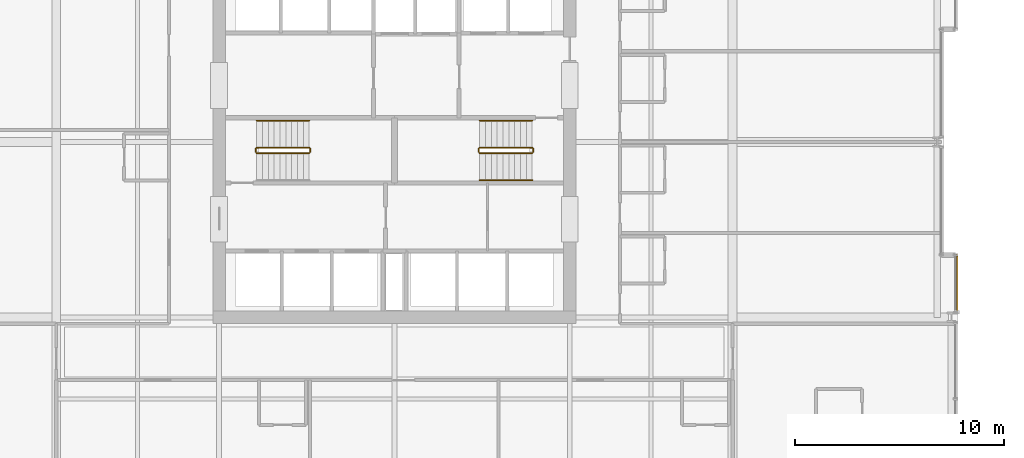
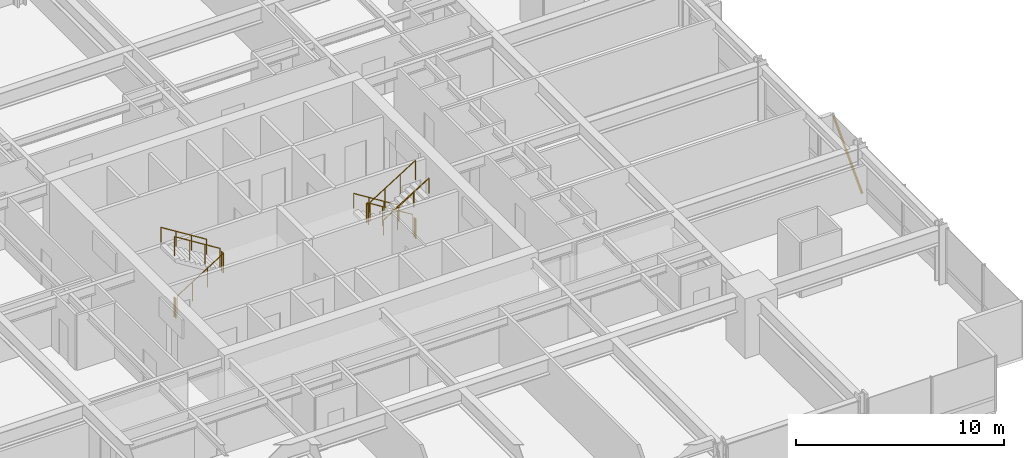
# One storey, part 37 of 38: 11 railings, 1 shading device.
"""IFC4 building model written with IfcOpenShell, lengths in metres."""

from ifc_helpers import new_model, si_unit, direction, frame, origin, origin_2d, place, context, subcontext, project, spatial, hollow_rectangle, circle, extrude, material, material_profile, profile_set, type_object, element, save


model = new_model("IFC4")

# Units and contexts
model_context = context("Model", 3, precision=1e-05, world=origin(), true_north=direction((0.0, 1.0)))
body_context = subcontext(model_context, "Body", "Model", "MODEL_VIEW")
ifc_project = project(units=[si_unit("LENGTHUNIT", "METRE"), si_unit("AREAUNIT", "SQUARE_METRE"), si_unit("VOLUMEUNIT", "CUBIC_METRE"), si_unit("PLANEANGLEUNIT", "RADIAN"), si_unit("MASSUNIT", "GRAM", prefix="KILO")], contexts=[model_context])

# Site, building, storey
site_placement = place(None, origin())
site = spatial("IfcSite", under=ifc_project, at=site_placement, CompositionType="ELEMENT")
building_placement = place(site_placement, origin())
building = spatial("IfcBuilding", under=site, at=building_placement, Name="Drelvath Grand Hotel", CompositionType="ELEMENT")
storey_placement = place(building_placement, frame((0.0, 0.0, 47.199951171875)))
storey = spatial("IfcBuildingStorey", under=building, at=storey_placement, Name="L10", CompositionType="ELEMENT", Elevation=47.199951171875)

# Railings
ifc_material_1 = material(Name="Painted Steel S275", Category="steel")
railing_type_1 = type_object("IfcRailingType", Name="Core Stair Wall Handrail 900", PredefinedType="HANDRAIL", material=ifc_material_1)
for number, where, name in (
    (1, (-4.080078125, 28.030029296875, 1.925048828125), "L10 ST-1 stair handrail 2"),
    (2, (6.60009765625, 28.030029296875, 0.175048828125), "L10 ST-2 stair handrail 1"),
):
    element("IfcRailing", number, at=place(storey_placement, frame(where)), inside=storey, type_object=railing_type_1, Name=name, PredefinedType="HANDRAIL", context=body_context, shape_type="SweptSolid", body=[
        extrude(circle(Radius=0.02392578125, at=origin_2d()), frame((0.0, 0.0, 0.8759765625), z_axis=(-0.848007534815, 0.0, 0.529984170421), x_axis=(0.0, -1.0, 0.0)), (0.0, 0.0, 1.0), 2.9716796875),
        extrude(circle(Radius=0.02099609375, at=origin_2d()), origin(), (0.0, 0.0, 1.0), 0.851806640625),
        extrude(circle(Radius=0.02099609375, at=origin_2d()), frame((-0.840087890625, 0.0, 0.52490234375)), (0.0, 0.0, 1.0), 0.851806640625),
        extrude(circle(Radius=0.02099609375, at=origin_2d()), frame((-1.679931640625, 0.0, 1.050048828125)), (0.0, 0.0, 1.0), 0.851806640625),
        extrude(circle(Radius=0.02099609375, at=origin_2d()), frame((-2.52001953125, 0.0, 1.574951171875)), (0.0, 0.0, 1.0), 0.851806640625),
    ])
railing_1_placement = place(storey_placement, frame((4.080078125, 25.169921875, 1.925048828125)))
element("IfcRailing", 3, at=railing_1_placement, inside=storey, type_object=railing_type_1, Name="L10 ST-2 stair handrail 2", PredefinedType="HANDRAIL", context=body_context, shape_type="SweptSolid", body=[
    extrude(circle(Radius=0.02392578125, at=origin_2d()), frame((0.0, 0.0, 0.8759765625), z_axis=(0.848007534815, 0.0, 0.529984170421), x_axis=(0.0, 1.0, 0.0)), (0.0, 0.0, 1.0), 2.9716796875),
    extrude(circle(Radius=0.02099609375, at=origin_2d()), origin(), (0.0, 0.0, 1.0), 0.851806640625),
    extrude(circle(Radius=0.02099609375, at=origin_2d()), frame((0.840087890625, 0.0, 0.52490234375)), (0.0, 0.0, 1.0), 0.851806640625),
    extrude(circle(Radius=0.02099609375, at=origin_2d()), frame((1.679931640625, 0.0, 1.050048828125)), (0.0, 0.0, 1.0), 0.851806640625),
    extrude(circle(Radius=0.02099609375, at=origin_2d()), frame((2.52001953125, 0.0, 1.574951171875)), (0.0, 0.0, 1.0), 0.851806640625),
])
railing_type_2 = type_object("IfcRailingType", Name="Core Stair Well Guardrail 1100", PredefinedType="GUARDRAIL", material=ifc_material_1)
railing_2_placement = place(storey_placement, frame((-6.60009765625, 26.469970703125, 0.175048828125)))
element("IfcRailing", 4, at=railing_2_placement, inside=storey, type_object=railing_type_2, Name="L10 ST-1 stair guard 1", PredefinedType="GUARDRAIL", context=body_context, shape_type="SweptSolid", body=[
    extrude(circle(Radius=0.02392578125, at=origin_2d()), frame((0.0, 0.0, 1.1259765625), z_axis=(0.848007534815, 0.0, 0.529984170421), x_axis=(0.0, 1.0, 0.0)), (0.0, 0.0, 1.0), 2.9716796875),
    extrude(circle(Radius=0.02099609375, at=origin_2d()), origin(), (0.0, 0.0, 1.0), 1.101806640625),
    extrude(circle(Radius=0.02099609375, at=origin_2d()), frame((0.840087890625, 0.0, 0.52490234375)), (0.0, 0.0, 1.0), 1.101806640625),
    extrude(circle(Radius=0.02099609375, at=origin_2d()), frame((1.679931640625, 0.0, 1.050048828125)), (0.0, 0.0, 1.0), 1.101806640625),
    extrude(circle(Radius=0.02099609375, at=origin_2d()), frame((2.52001953125, 0.0, 1.574951171875)), (0.0, 0.0, 1.0), 1.101806640625),
])
railing_3_placement = place(storey_placement, frame((-4.030029296875, 26.52001953125, 1.75)))
element("IfcRailing", 5, at=railing_3_placement, inside=storey, type_object=railing_type_2, Name="L10 ST-1 stair guard 2", PredefinedType="GUARDRAIL", context=body_context, shape_type="SweptSolid", body=[
    extrude(circle(Radius=0.02392578125, at=origin_2d()), frame((0.0, 0.0, 1.1259765625), z_axis=(0.0, 1.0, 0.0), x_axis=(-1.0, 0.0, 0.0)), (0.0, 0.0, 1.0), 0.159912109375),
    extrude(circle(Radius=0.02099609375, at=origin_2d()), origin(), (0.0, 0.0, 1.0), 1.101806640625),
    extrude(circle(Radius=0.02099609375, at=origin_2d()), frame((0.0, 0.159912109375, 0.0)), (0.0, 0.0, 1.0), 1.101806640625),
])
railing_4_placement = place(storey_placement, frame((-4.080078125, 26.72998046875, 1.925048828125)))
element("IfcRailing", 6, at=railing_4_placement, inside=storey, type_object=railing_type_2, Name="L10 ST-1 stair guard 3", PredefinedType="GUARDRAIL", context=body_context, shape_type="SweptSolid", body=[
    extrude(circle(Radius=0.02392578125, at=origin_2d()), frame((0.0, 0.0, 1.1259765625), z_axis=(-0.848007534815, 0.0, 0.529984170421), x_axis=(0.0, -1.0, 0.0)), (0.0, 0.0, 1.0), 2.9716796875),
    extrude(circle(Radius=0.02099609375, at=origin_2d()), origin(), (0.0, 0.0, 1.0), 1.101806640625),
    extrude(circle(Radius=0.02099609375, at=origin_2d()), frame((-0.840087890625, 0.0, 0.52490234375)), (0.0, 0.0, 1.0), 1.101806640625),
    extrude(circle(Radius=0.02099609375, at=origin_2d()), frame((-1.679931640625, 0.0, 1.050048828125)), (0.0, 0.0, 1.0), 1.101806640625),
    extrude(circle(Radius=0.02099609375, at=origin_2d()), frame((-2.52001953125, 0.0, 1.574951171875)), (0.0, 0.0, 1.0), 1.101806640625),
])
railing_5_placement = place(storey_placement, frame((-6.64990234375, 26.52001953125, 0.0)))
element("IfcRailing", 7, at=railing_5_placement, inside=storey, type_object=railing_type_2, Name="L10 ST-1 stair guard 4", PredefinedType="GUARDRAIL", context=body_context, shape_type="SweptSolid", body=[
    extrude(circle(Radius=0.02392578125, at=origin_2d()), frame((0.0, 0.0, 1.1259765625), z_axis=(0.0, 1.0, 0.0), x_axis=(-1.0, 0.0, 0.0)), (0.0, 0.0, 1.0), 0.159912109375),
    extrude(circle(Radius=0.02099609375, at=origin_2d()), origin(), (0.0, 0.0, 1.0), 1.101806640625),
    extrude(circle(Radius=0.02099609375, at=origin_2d()), frame((0.0, 0.159912109375, 0.0)), (0.0, 0.0, 1.0), 1.101806640625),
])
railing_6_placement = place(storey_placement, frame((6.60009765625, 26.72998046875, 0.175048828125)))
element("IfcRailing", 8, at=railing_6_placement, inside=storey, type_object=railing_type_2, Name="L10 ST-2 stair guard 1", PredefinedType="GUARDRAIL", context=body_context, shape_type="SweptSolid", body=[
    extrude(circle(Radius=0.02392578125, at=origin_2d()), frame((0.0, 0.0, 1.1259765625), z_axis=(-0.848007534815, 0.0, 0.529984170421), x_axis=(0.0, -1.0, 0.0)), (0.0, 0.0, 1.0), 2.9716796875),
    extrude(circle(Radius=0.02099609375, at=origin_2d()), origin(), (0.0, 0.0, 1.0), 1.101806640625),
    extrude(circle(Radius=0.02099609375, at=origin_2d()), frame((-0.840087890625, 0.0, 0.52490234375)), (0.0, 0.0, 1.0), 1.101806640625),
    extrude(circle(Radius=0.02099609375, at=origin_2d()), frame((-1.679931640625, 0.0, 1.050048828125)), (0.0, 0.0, 1.0), 1.101806640625),
    extrude(circle(Radius=0.02099609375, at=origin_2d()), frame((-2.52001953125, 0.0, 1.574951171875)), (0.0, 0.0, 1.0), 1.101806640625),
])
railing_7_placement = place(storey_placement, frame((4.030029296875, 26.679931640625, 1.75)))
element("IfcRailing", 9, at=railing_7_placement, inside=storey, type_object=railing_type_2, Name="L10 ST-2 stair guard 2", PredefinedType="GUARDRAIL", context=body_context, shape_type="SweptSolid", body=[
    extrude(circle(Radius=0.02392578125, at=origin_2d()), frame((0.0, 0.0, 1.1259765625), z_axis=(0.0, -1.0, 0.0), x_axis=(1.0, 0.0, 0.0)), (0.0, 0.0, 1.0), 0.159912109375),
    extrude(circle(Radius=0.02099609375, at=origin_2d()), origin(), (0.0, 0.0, 1.0), 1.101806640625),
    extrude(circle(Radius=0.02099609375, at=origin_2d()), frame((0.0, -0.159912109375, 0.0)), (0.0, 0.0, 1.0), 1.101806640625),
])
railing_8_placement = place(storey_placement, frame((4.080078125, 26.469970703125, 1.925048828125)))
element("IfcRailing", 10, at=railing_8_placement, inside=storey, type_object=railing_type_2, Name="L10 ST-2 stair guard 3", PredefinedType="GUARDRAIL", context=body_context, shape_type="SweptSolid", body=[
    extrude(circle(Radius=0.02392578125, at=origin_2d()), frame((0.0, 0.0, 1.1259765625), z_axis=(0.848007534815, 0.0, 0.529984170421), x_axis=(0.0, 1.0, 0.0)), (0.0, 0.0, 1.0), 2.9716796875),
    extrude(circle(Radius=0.02099609375, at=origin_2d()), origin(), (0.0, 0.0, 1.0), 1.101806640625),
    extrude(circle(Radius=0.02099609375, at=origin_2d()), frame((0.840087890625, 0.0, 0.52490234375)), (0.0, 0.0, 1.0), 1.101806640625),
    extrude(circle(Radius=0.02099609375, at=origin_2d()), frame((1.679931640625, 0.0, 1.050048828125)), (0.0, 0.0, 1.0), 1.101806640625),
    extrude(circle(Radius=0.02099609375, at=origin_2d()), frame((2.52001953125, 0.0, 1.574951171875)), (0.0, 0.0, 1.0), 1.101806640625),
])
railing_9_placement = place(storey_placement, frame((6.64990234375, 26.679931640625, 0.0)))
element("IfcRailing", 11, at=railing_9_placement, inside=storey, type_object=railing_type_2, Name="L10 ST-2 stair guard 4", PredefinedType="GUARDRAIL", context=body_context, shape_type="SweptSolid", body=[
    extrude(circle(Radius=0.02392578125, at=origin_2d()), frame((0.0, 0.0, 1.1259765625), z_axis=(0.0, -1.0, 0.0), x_axis=(1.0, 0.0, 0.0)), (0.0, 0.0, 1.0), 0.159912109375),
    extrude(circle(Radius=0.02099609375, at=origin_2d()), origin(), (0.0, 0.0, 1.0), 1.101806640625),
    extrude(circle(Radius=0.02099609375, at=origin_2d()), frame((0.0, -0.159912109375, 0.0)), (0.0, 0.0, 1.0), 1.101806640625),
])

# Shading device
ifc_material_2 = material(Name="Warm Bronze Anodised Aluminium", Category="aluminium")
ifc_material_profile = material_profile(ifc_material_2, hollow_rectangle(XDim=0.06494140625, YDim=0.159912109375, WallThickness=0.00390625, at=origin_2d()), Name="HSS160X65X4")
ifc_profile_set = profile_set([ifc_material_profile], Name="Warm Bronze Anodised Aluminium")
shading_device_type = type_object("IfcShadingDeviceType", Name="Diagonal Solar Fin Warm Bronze Anodised HSS160X65X4", PredefinedType="USERDEFINED", material=ifc_profile_set)
shading_device_placement = place(storey_placement, frame((26.9599609375, 18.8408203125, 0.179931640625), z_axis=(0.0, 0.691795011039, 0.722093943128), x_axis=(-1.0, 0.0, 0.0)))
element("IfcShadingDevice", 12, at=shading_device_placement, inside=storey, type_object=shading_device_type, Name="L10 Diagonal Anodised Fin CW02-L10-ES3", ObjectType="FIN", PredefinedType="USERDEFINED", context=body_context, shape_type="SweptSolid", body=[
    extrude(hollow_rectangle(XDim=0.06494140625, YDim=0.159912109375, WallThickness=0.00390625, at=origin_2d()), origin(), (0.0, 0.0, 1.0), 3.988525390625),
])

save(model, "model.ifc")
